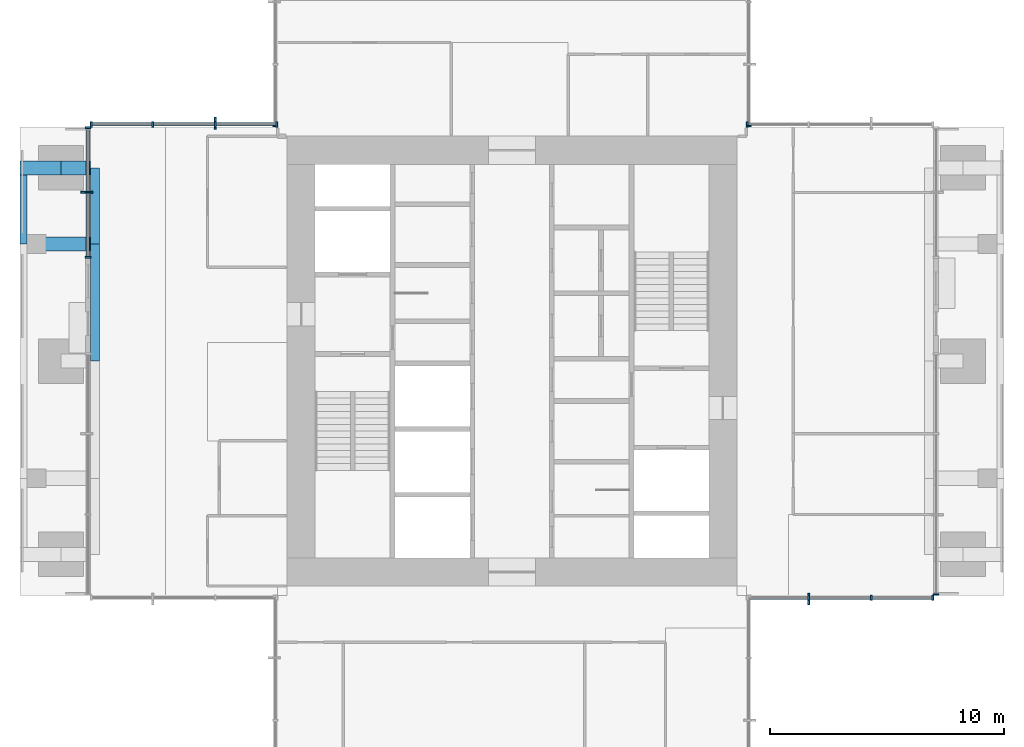
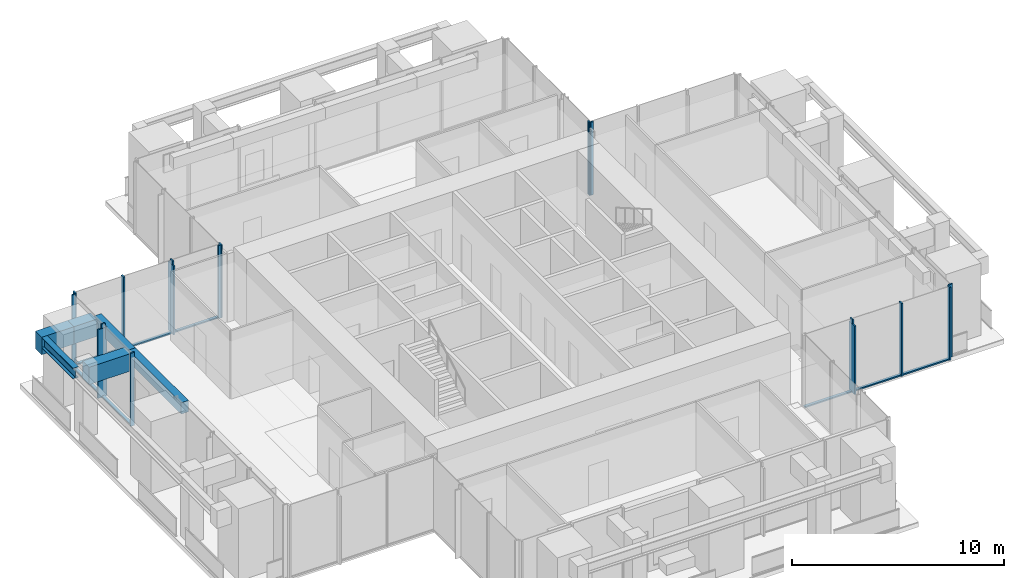
# One storey, part 3 of 12: 25 members, 6 beams, 7 elements without a shape of their own.
"""IFC4 building model written with IfcOpenShell, lengths in metres."""

from ifc_helpers import new_model, si_unit, direction, frame, origin, origin_2d, place, context, subcontext, project, spatial, rectangle, i_section, extrude, material, material_profile, profile_set, type_object, element, aggregate, save


model = new_model("IFC4")

# Units and contexts
model_context = context("Model", 3, precision=1e-05, world=origin(), true_north=direction((0.0, 1.0)))
body_context = subcontext(model_context, "Body", "Model", "MODEL_VIEW")
ifc_project = project(units=[si_unit("LENGTHUNIT", "METRE"), si_unit("AREAUNIT", "SQUARE_METRE"), si_unit("VOLUMEUNIT", "CUBIC_METRE"), si_unit("PLANEANGLEUNIT", "RADIAN"), si_unit("MASSUNIT", "GRAM", prefix="KILO")], contexts=[model_context])

# Site, building, storey
site_placement = place(None, origin())
site = spatial("IfcSite", under=ifc_project, at=site_placement, CompositionType="ELEMENT")
building_placement = place(site_placement, origin())
building = spatial("IfcBuilding", under=site, at=building_placement, Name="Svetlomir Tower", CompositionType="ELEMENT")
storey_placement = place(building_placement, frame((0.0, 0.0, 248.199951171875)))
storey = spatial("IfcBuildingStorey", under=building, at=storey_placement, Name="L59", CompositionType="ELEMENT", Elevation=248.199951171875)

# Curtain wall, member
ifc_material_1 = material(Name="Bronze anodised aluminium curtain wall", Category="aluminium")
curtain_wall_type = type_object("IfcCurtainWallType", Name="CURTAIN WALL CW4 EXECUTIVE", PredefinedType="NOTDEFINED", material=ifc_material_1)
curtain_wall_1_placement = place(storey_placement, origin())
curtain_wall_1 = element("IfcCurtainWall", 1, at=curtain_wall_1_placement, inside=storey, type_object=curtain_wall_type, Name="Curtain wall CW4 L59", PredefinedType="NOTDEFINED")
ifc_material_2 = material(Name="Bronze anodised aluminium", Category="aluminium")
ifc_material_profile_1 = material_profile(ifc_material_2, rectangle(XDim=0.080078125, YDim=0.5, at=origin_2d()), Name="FIN 80x500")
ifc_profile_set_1 = profile_set([ifc_material_profile_1], Name="Bronze anodised aluminium 6063-T6")
member_type_1 = type_object("IfcMemberType", Name="BRONZE FIN 80x500", PredefinedType="USERDEFINED", material=ifc_profile_set_1)
member_1_placement = place(storey_placement, frame((33.666748046875, 10.85009765625, 0.0), z_axis=(0.0, 0.0, 1.0), x_axis=(1.0, 0.0, 0.0)))
member_1 = element("IfcMember", 2, at=member_1_placement, type_object=member_type_1, Name="Bronze fin L59", ObjectType="FIN", PredefinedType="USERDEFINED", context=body_context, shape_type="SweptSolid", body=[
    extrude(rectangle(XDim=0.080078125, YDim=0.5, at=origin_2d()), origin(), (0.0, 0.0, 1.0), 3.949951171875),
])

curtain_wall_2_placement = place(storey_placement, origin())
curtain_wall_2 = element("IfcCurtainWall", 3, at=curtain_wall_2_placement, inside=storey, type_object=curtain_wall_type, Name="Curtain wall CW4 L59", PredefinedType="NOTDEFINED")
member_2_placement = place(storey_placement, frame((8.333251953125, 31.14990234375, 0.0), z_axis=(0.0, 0.0, 1.0), x_axis=(1.0, 0.0, 0.0)))
member_2 = element("IfcMember", 4, at=member_2_placement, type_object=member_type_1, Name="Bronze fin L59", ObjectType="FIN", PredefinedType="USERDEFINED", context=body_context, shape_type="SweptSolid", body=[
    extrude(rectangle(XDim=0.080078125, YDim=0.5, at=origin_2d()), origin(), (0.0, 0.0, 1.0), 3.949951171875),
])

curtain_wall_3_placement = place(storey_placement, origin())
curtain_wall_3 = element("IfcCurtainWall", 5, at=curtain_wall_3_placement, inside=storey, type_object=curtain_wall_type, Name="Curtain wall CW4 L59", PredefinedType="NOTDEFINED")
member_3_placement = place(storey_placement, frame((2.85009765625, 28.199951171875, 0.0), z_axis=(0.0, 0.0, 1.0), x_axis=(0.0, 1.0, 0.0)))
member_3 = element("IfcMember", 6, at=member_3_placement, type_object=member_type_1, Name="Bronze fin L59", ObjectType="FIN", PredefinedType="USERDEFINED", context=body_context, shape_type="SweptSolid", body=[
    extrude(rectangle(XDim=0.080078125, YDim=0.5, at=origin_2d()), origin(), (0.0, 0.0, 1.0), 3.949951171875),
])

# Member
ifc_material_3 = material(Name="Bronze anodised aluminium", Category="aluminium")
ifc_material_profile_2 = material_profile(ifc_material_3, rectangle(XDim=0.074951171875, YDim=0.219970703125, at=origin_2d()), Name="AL 75x220")
ifc_profile_set_2 = profile_set([ifc_material_profile_2], Name="Bronze anodised aluminium 6063-T6")
member_type_2 = type_object("IfcMemberType", Name="CW4 MULLION 75x220", PredefinedType="MULLION", material=ifc_profile_set_2)
member_4_placement = place(storey_placement, frame((33.666748046875, 10.89990234375, 0.0), z_axis=(0.0, 0.0, 1.0), x_axis=(1.0, 0.0, 0.0)))
member_4 = element("IfcMember", 7, at=member_4_placement, type_object=member_type_2, Name="CW4 mullion 2", PredefinedType="MULLION", context=body_context, shape_type="SweptSolid", body=[
    extrude(rectangle(XDim=0.074951171875, YDim=0.219970703125, at=origin_2d()), origin(), (0.0, 0.0, 1.0), 4.199951171875),
])

member_5_placement = place(storey_placement, frame((36.333251953125, 10.89990234375, 0.0), z_axis=(0.0, 0.0, 1.0), x_axis=(1.0, 0.0, 0.0)))
member_5 = element("IfcMember", 8, at=member_5_placement, type_object=member_type_2, Name="CW4 mullion 3", PredefinedType="MULLION", context=body_context, shape_type="SweptSolid", body=[
    extrude(rectangle(XDim=0.074951171875, YDim=0.219970703125, at=origin_2d()), origin(), (0.0, 0.0, 1.0), 4.199951171875),
])

member_6_placement = place(storey_placement, frame((38.96240234375, 10.89990234375, 0.0), z_axis=(0.0, 0.0, 1.0), x_axis=(1.0, 0.0, 0.0)))
member_6 = element("IfcMember", 9, at=member_6_placement, type_object=member_type_2, Name="CW4 mullion 4", PredefinedType="MULLION", context=body_context, shape_type="SweptSolid", body=[
    extrude(rectangle(XDim=0.074951171875, YDim=0.219970703125, at=origin_2d()), origin(), (0.0, 0.0, 1.0), 4.199951171875),
])

# Curtain wall, member
curtain_wall_4_placement = place(storey_placement, origin())
curtain_wall_4 = element("IfcCurtainWall", 10, at=curtain_wall_4_placement, inside=storey, type_object=curtain_wall_type, Name="Curtain wall CW4 L59", PredefinedType="NOTDEFINED")
member_7_placement = place(storey_placement, frame((39.10009765625, 11.03759765625, 0.0), z_axis=(0.0, 0.0, 1.0), x_axis=(0.0, 1.0, 0.0)))
member_7 = element("IfcMember", 11, at=member_7_placement, type_object=member_type_2, Name="CW4 mullion 1", PredefinedType="MULLION", context=body_context, shape_type="SweptSolid", body=[
    extrude(rectangle(XDim=0.074951171875, YDim=0.219970703125, at=origin_2d()), origin(), (0.0, 0.0, 1.0), 4.199951171875),
])
aggregate(curtain_wall_4, [member_7])

curtain_wall_5_placement = place(storey_placement, origin())
curtain_wall_5 = element("IfcCurtainWall", 12, at=curtain_wall_5_placement, inside=storey, type_object=curtain_wall_type, Name="Curtain wall CW4 L59", PredefinedType="NOTDEFINED")
member_8_placement = place(storey_placement, frame((31.03759765625, 31.10009765625, 0.0), z_axis=(0.0, 0.0, 1.0), x_axis=(-1.0, 0.0, 0.0)))
member_8 = element("IfcMember", 13, at=member_8_placement, type_object=member_type_2, Name="CW4 mullion 4", PredefinedType="MULLION", context=body_context, shape_type="SweptSolid", body=[
    extrude(rectangle(XDim=0.074951171875, YDim=0.219970703125, at=origin_2d()), origin(), (0.0, 0.0, 1.0), 4.199951171875),
])
aggregate(curtain_wall_5, [member_8])

curtain_wall_6_placement = place(storey_placement, origin())
curtain_wall_6 = element("IfcCurtainWall", 14, at=curtain_wall_6_placement, inside=storey, type_object=curtain_wall_type, Name="Curtain wall CW4 L59", PredefinedType="NOTDEFINED")
member_9_placement = place(storey_placement, frame((31.10009765625, 31.03759765625, 0.0), z_axis=(0.0, 0.0, 1.0), x_axis=(0.0, 1.0, 0.0)))
member_9 = element("IfcMember", 15, at=member_9_placement, type_object=member_type_2, Name="CW4 mullion 1", PredefinedType="MULLION", context=body_context, shape_type="SweptSolid", body=[
    extrude(rectangle(XDim=0.074951171875, YDim=0.219970703125, at=origin_2d()), origin(), (0.0, 0.0, 1.0), 4.199951171875),
])
aggregate(curtain_wall_6, [member_9])

curtain_wall_7_placement = place(storey_placement, origin())
curtain_wall_7 = element("IfcCurtainWall", 16, at=curtain_wall_7_placement, inside=storey, type_object=curtain_wall_type, Name="Curtain wall CW4 L59", PredefinedType="NOTDEFINED")
member_10_placement = place(storey_placement, frame((10.89990234375, 31.03759765625, 0.0), z_axis=(0.0, 0.0, 1.0), x_axis=(0.0, -1.0, 0.0)))
member_10 = element("IfcMember", 17, at=member_10_placement, type_object=member_type_2, Name="CW4 mullion 4", PredefinedType="MULLION", context=body_context, shape_type="SweptSolid", body=[
    extrude(rectangle(XDim=0.074951171875, YDim=0.219970703125, at=origin_2d()), origin(), (0.0, 0.0, 1.0), 4.199951171875),
])
aggregate(curtain_wall_7, [member_10])

# Member
member_11_placement = place(storey_placement, frame((10.96240234375, 31.10009765625, 0.0), z_axis=(0.0, 0.0, 1.0), x_axis=(-1.0, 0.0, 0.0)))
member_11 = element("IfcMember", 18, at=member_11_placement, type_object=member_type_2, Name="CW4 mullion 1", PredefinedType="MULLION", context=body_context, shape_type="SweptSolid", body=[
    extrude(rectangle(XDim=0.074951171875, YDim=0.219970703125, at=origin_2d()), origin(), (0.0, 0.0, 1.0), 4.199951171875),
])

member_12_placement = place(storey_placement, frame((8.333251953125, 31.10009765625, 0.0), z_axis=(0.0, 0.0, 1.0), x_axis=(-1.0, 0.0, 0.0)))
member_12 = element("IfcMember", 19, at=member_12_placement, type_object=member_type_2, Name="CW4 mullion 2", PredefinedType="MULLION", context=body_context, shape_type="SweptSolid", body=[
    extrude(rectangle(XDim=0.074951171875, YDim=0.219970703125, at=origin_2d()), origin(), (0.0, 0.0, 1.0), 4.199951171875),
])

member_13_placement = place(storey_placement, frame((5.666748046875, 31.10009765625, 0.0), z_axis=(0.0, 0.0, 1.0), x_axis=(-1.0, 0.0, 0.0)))
member_13 = element("IfcMember", 20, at=member_13_placement, type_object=member_type_2, Name="CW4 mullion 3", PredefinedType="MULLION", context=body_context, shape_type="SweptSolid", body=[
    extrude(rectangle(XDim=0.074951171875, YDim=0.219970703125, at=origin_2d()), origin(), (0.0, 0.0, 1.0), 4.199951171875),
])

member_14_placement = place(storey_placement, frame((3.03759765625, 31.10009765625, 0.0), z_axis=(0.0, 0.0, 1.0), x_axis=(-1.0, 0.0, 0.0)))
member_14 = element("IfcMember", 21, at=member_14_placement, type_object=member_type_2, Name="CW4 mullion 4", PredefinedType="MULLION", context=body_context, shape_type="SweptSolid", body=[
    extrude(rectangle(XDim=0.074951171875, YDim=0.219970703125, at=origin_2d()), origin(), (0.0, 0.0, 1.0), 4.199951171875),
])

member_15_placement = place(storey_placement, frame((2.89990234375, 30.96240234375, 0.0), z_axis=(0.0, 0.0, 1.0), x_axis=(0.0, -1.0, 0.0)))
member_15 = element("IfcMember", 22, at=member_15_placement, type_object=member_type_2, Name="CW4 mullion 1", PredefinedType="MULLION", context=body_context, shape_type="SweptSolid", body=[
    extrude(rectangle(XDim=0.074951171875, YDim=0.219970703125, at=origin_2d()), origin(), (0.0, 0.0, 1.0), 4.199951171875),
])

member_16_placement = place(storey_placement, frame((2.89990234375, 28.199951171875, 0.0), z_axis=(0.0, 0.0, 1.0), x_axis=(0.0, -1.0, 0.0)))
member_16 = element("IfcMember", 23, at=member_16_placement, type_object=member_type_2, Name="CW4 mullion 2", PredefinedType="MULLION", context=body_context, shape_type="SweptSolid", body=[
    extrude(rectangle(XDim=0.074951171875, YDim=0.219970703125, at=origin_2d()), origin(), (0.0, 0.0, 1.0), 4.199951171875),
])

member_17_placement = place(storey_placement, frame((2.89990234375, 25.4375, 0.0), z_axis=(0.0, 0.0, 1.0), x_axis=(0.0, -1.0, 0.0)))
member_17 = element("IfcMember", 24, at=member_17_placement, type_object=member_type_2, Name="CW4 mullion 3", PredefinedType="MULLION", context=body_context, shape_type="SweptSolid", body=[
    extrude(rectangle(XDim=0.074951171875, YDim=0.219970703125, at=origin_2d()), origin(), (0.0, 0.0, 1.0), 4.199951171875),
])

ifc_material_4 = material(Name="Bronze anodised aluminium", Category="aluminium")
ifc_material_profile_3 = material_profile(ifc_material_4, rectangle(XDim=0.14990234375, YDim=0.074951171875, at=origin_2d()), Name="AL 150x75")
ifc_profile_set_3 = profile_set([ifc_material_profile_3], Name="Bronze anodised aluminium 6063-T6")
member_type_3 = type_object("IfcMemberType", Name="CW4 TRANSOM 75x150", PredefinedType="USERDEFINED", material=ifc_profile_set_3)
member_18_placement = place(storey_placement, frame((31.074951171875, 10.89990234375, 0.03759765625), z_axis=(1.0, 0.0, 0.0), x_axis=(0.0, 1.0, 0.0)))
member_18 = element("IfcMember", 25, at=member_18_placement, type_object=member_type_3, Name="CW4 transom 1.1", ObjectType="TRANSOM", PredefinedType="USERDEFINED", context=body_context, shape_type="SweptSolid", body=[
    extrude(rectangle(XDim=0.14990234375, YDim=0.074951171875, at=origin_2d()), origin(), (0.0, 0.0, 1.0), 2.55419921875),
])

member_19_placement = place(storey_placement, frame((33.7041015625, 10.89990234375, 0.03759765625), z_axis=(1.0, 0.0, 0.0), x_axis=(0.0, 1.0, 0.0)))
member_19 = element("IfcMember", 26, at=member_19_placement, type_object=member_type_3, Name="CW4 transom 2.1", ObjectType="TRANSOM", PredefinedType="USERDEFINED", context=body_context, shape_type="SweptSolid", body=[
    extrude(rectangle(XDim=0.14990234375, YDim=0.074951171875, at=origin_2d()), origin(), (0.0, 0.0, 1.0), 2.591796875),
])

member_20_placement = place(storey_placement, frame((36.370849609375, 10.89990234375, 0.03759765625), z_axis=(1.0, 0.0, 0.0), x_axis=(0.0, 1.0, 0.0)))
member_20 = element("IfcMember", 27, at=member_20_placement, type_object=member_type_3, Name="CW4 transom 3.1", ObjectType="TRANSOM", PredefinedType="USERDEFINED", context=body_context, shape_type="SweptSolid", body=[
    extrude(rectangle(XDim=0.14990234375, YDim=0.074951171875, at=origin_2d()), origin(), (0.0, 0.0, 1.0), 2.55419921875),
])

aggregate(curtain_wall_1, [member_4, member_5, member_6, member_18, member_19, member_20, member_1])

member_21_placement = place(storey_placement, frame((10.925048828125, 31.10009765625, 0.03759765625), z_axis=(-1.0, 0.0, 0.0), x_axis=(0.0, -1.0, 0.0)))
member_21 = element("IfcMember", 28, at=member_21_placement, type_object=member_type_3, Name="CW4 transom 1.1", ObjectType="TRANSOM", PredefinedType="USERDEFINED", context=body_context, shape_type="SweptSolid", body=[
    extrude(rectangle(XDim=0.14990234375, YDim=0.074951171875, at=origin_2d()), origin(), (0.0, 0.0, 1.0), 2.55419921875),
])

member_22_placement = place(storey_placement, frame((8.2958984375, 31.10009765625, 0.03759765625), z_axis=(-1.0, 0.0, 0.0), x_axis=(0.0, -1.0, 0.0)))
member_22 = element("IfcMember", 29, at=member_22_placement, type_object=member_type_3, Name="CW4 transom 2.1", ObjectType="TRANSOM", PredefinedType="USERDEFINED", context=body_context, shape_type="SweptSolid", body=[
    extrude(rectangle(XDim=0.14990234375, YDim=0.074951171875, at=origin_2d()), origin(), (0.0, 0.0, 1.0), 2.591796875),
])

member_23_placement = place(storey_placement, frame((5.629150390625, 31.10009765625, 0.03759765625), z_axis=(-1.0, 0.0, 0.0), x_axis=(0.0, -1.0, 0.0)))
member_23 = element("IfcMember", 30, at=member_23_placement, type_object=member_type_3, Name="CW4 transom 3.1", ObjectType="TRANSOM", PredefinedType="USERDEFINED", context=body_context, shape_type="SweptSolid", body=[
    extrude(rectangle(XDim=0.14990234375, YDim=0.074951171875, at=origin_2d()), origin(), (0.0, 0.0, 1.0), 2.55419921875),
])

aggregate(curtain_wall_2, [member_11, member_12, member_13, member_14, member_21, member_22, member_23, member_2])

member_24_placement = place(storey_placement, frame((2.89990234375, 30.925048828125, 0.03759765625), z_axis=(0.0, -1.0, 0.0), x_axis=(1.0, 0.0, 0.0)))
member_24 = element("IfcMember", 31, at=member_24_placement, type_object=member_type_3, Name="CW4 transom 1.1", ObjectType="TRANSOM", PredefinedType="USERDEFINED", context=body_context, shape_type="SweptSolid", body=[
    extrude(rectangle(XDim=0.14990234375, YDim=0.074951171875, at=origin_2d()), origin(), (0.0, 0.0, 1.0), 2.6875),
])

member_25_placement = place(storey_placement, frame((2.89990234375, 28.16259765625, 0.03759765625), z_axis=(0.0, -1.0, 0.0), x_axis=(1.0, 0.0, 0.0)))
member_25 = element("IfcMember", 32, at=member_25_placement, type_object=member_type_3, Name="CW4 transom 2.1", ObjectType="TRANSOM", PredefinedType="USERDEFINED", context=body_context, shape_type="SweptSolid", body=[
    extrude(rectangle(XDim=0.14990234375, YDim=0.074951171875, at=origin_2d()), origin(), (0.0, 0.0, 1.0), 2.6875),
])

aggregate(curtain_wall_3, [member_15, member_16, member_17, member_24, member_25, member_3])

# Beams
ifc_material_5 = material(Name="Steel S355", Category="steel")
ifc_material_profile_4 = material_profile(ifc_material_5, i_section(OverallWidth=0.304931640625, OverallDepth=0.6201171875, WebThickness=0.02099609375, FlangeThickness=0.0400390625, FilletRadius=0.027099609375, at=origin_2d()), Name="HEM 600")
ifc_profile_set_4 = profile_set([ifc_material_profile_4], Name="Steel S355")
beam_type_1 = type_object("IfcBeamType", Name="EDGE BEAM HEM 600", PredefinedType="SPANDREL", material=ifc_profile_set_4)
beam_1_placement = place(storey_placement, frame((0.152587890625, 26.0, 3.64013671875), z_axis=(0.0, 1.0, 0.0), x_axis=(-1.0, 0.0, 0.0)))
element("IfcBeam", 33, at=beam_1_placement, inside=storey, type_object=beam_type_1, Name="Edge beam 0/26 to 0/31 under L60", PredefinedType="SPANDREL", context=body_context, shape_type="SweptSolid", body=[
    extrude(i_section(OverallWidth=0.304931640625, OverallDepth=0.6201171875, WebThickness=0.02099609375, FlangeThickness=0.0400390625, FilletRadius=0.027099609375, at=origin_2d()), origin(), (0.0, 0.0, 1.0), 2.949951171875),
])
ifc_material_6 = material(Name="Concrete C60/75", Category="concrete")
ifc_material_profile_5 = material_profile(ifc_material_6, rectangle(XDim=0.60009765625, YDim=1.0, at=origin_2d()), Name="RC 600x1000")
ifc_profile_set_5 = profile_set([ifc_material_profile_5], Name="Concrete C60/75")
beam_type_2 = type_object("IfcBeamType", Name="EDGE LINK BEAM RC 600x1000", PredefinedType="BEAM", material=ifc_profile_set_5)
beam_2_placement = place(storey_placement, frame((1.75, 29.25, 3.449951171875), z_axis=(-1.0, 0.0, 0.0), x_axis=(0.0, -1.0, 0.0)))
element("IfcBeam", 34, at=beam_2_placement, inside=storey, type_object=beam_type_2, Name="Edge link beam W 0/31 under L60", PredefinedType="BEAM", context=body_context, shape_type="SweptSolid", body=[
    extrude(rectangle(XDim=0.60009765625, YDim=1.0, at=origin_2d()), origin(), (0.0, 0.0, 1.0), 1.75),
])
ifc_material_7 = material(Name="Concrete C60/75", Category="concrete")
ifc_material_profile_6 = material_profile(ifc_material_7, rectangle(XDim=0.39990234375, YDim=0.64990234375, at=origin_2d()), Name="RC 400x650")
ifc_profile_set_6 = profile_set([ifc_material_profile_6], Name="Concrete C60/75")
beam_type_3 = type_object("IfcBeamType", Name="FACADE EDGE BEAM RC 400x650", PredefinedType="BEAM", material=ifc_profile_set_6)
beam_3_placement = place(storey_placement, frame((3.199951171875, 21.0, 3.625), z_axis=(0.0, 1.0, 0.0), x_axis=(-1.0, 0.0, 0.0)))
element("IfcBeam", 35, at=beam_3_placement, inside=storey, type_object=beam_type_3, Name="Facade edge beam W 21 to 26 under L60", PredefinedType="BEAM", context=body_context, shape_type="SweptSolid", body=[
    extrude(rectangle(XDim=0.39990234375, YDim=0.64990234375, at=origin_2d()), origin(), (0.0, 0.0, 1.0), 5.0),
])
beam_4_placement = place(storey_placement, frame((3.199951171875, 26.0, 3.625), z_axis=(0.0, 1.0, 0.0), x_axis=(-1.0, 0.0, 0.0)))
element("IfcBeam", 36, at=beam_4_placement, inside=storey, type_object=beam_type_3, Name="Facade edge beam W 26 to 31 under L60", PredefinedType="BEAM", context=body_context, shape_type="SweptSolid", body=[
    extrude(rectangle(XDim=0.39990234375, YDim=0.64990234375, at=origin_2d()), origin(), (0.0, 0.0, 1.0), 3.25),
])
ifc_material_8 = material(Name="Concrete C60/75", Category="concrete")
ifc_material_profile_7 = material_profile(ifc_material_8, rectangle(XDim=0.60009765625, YDim=1.0, at=origin_2d()), Name="RC 600x1000")
ifc_profile_set_7 = profile_set([ifc_material_profile_7], Name="Concrete C60/75")
beam_type_4 = type_object("IfcBeamType", Name="LOGGIA LINK BEAM RC 600x1000", PredefinedType="BEAM", material=ifc_profile_set_7)
beam_5_placement = place(storey_placement, frame((0.699951171875, 26.0, 3.449951171875), z_axis=(1.0, 0.0, 0.0), x_axis=(0.0, 1.0, 0.0)))
element("IfcBeam", 37, at=beam_5_placement, inside=storey, type_object=beam_type_4, Name="Loggia link beam W 26 under L60", PredefinedType="BEAM", context=body_context, shape_type="SweptSolid", body=[
    extrude(rectangle(XDim=0.60009765625, YDim=1.0, at=origin_2d()), origin(), (0.0, 0.0, 1.0), 2.300048828125),
])
beam_6_placement = place(storey_placement, frame((1.75, 29.25, 3.449951171875), z_axis=(1.0, 0.0, 0.0), x_axis=(0.0, 1.0, 0.0)))
element("IfcBeam", 38, at=beam_6_placement, inside=storey, type_object=beam_type_4, Name="Loggia link beam W 31 under L60", PredefinedType="BEAM", context=body_context, shape_type="SweptSolid", body=[
    extrude(rectangle(XDim=0.60009765625, YDim=1.0, at=origin_2d()), origin(), (0.0, 0.0, 1.0), 1.25),
])

save(model, "model.ifc")
